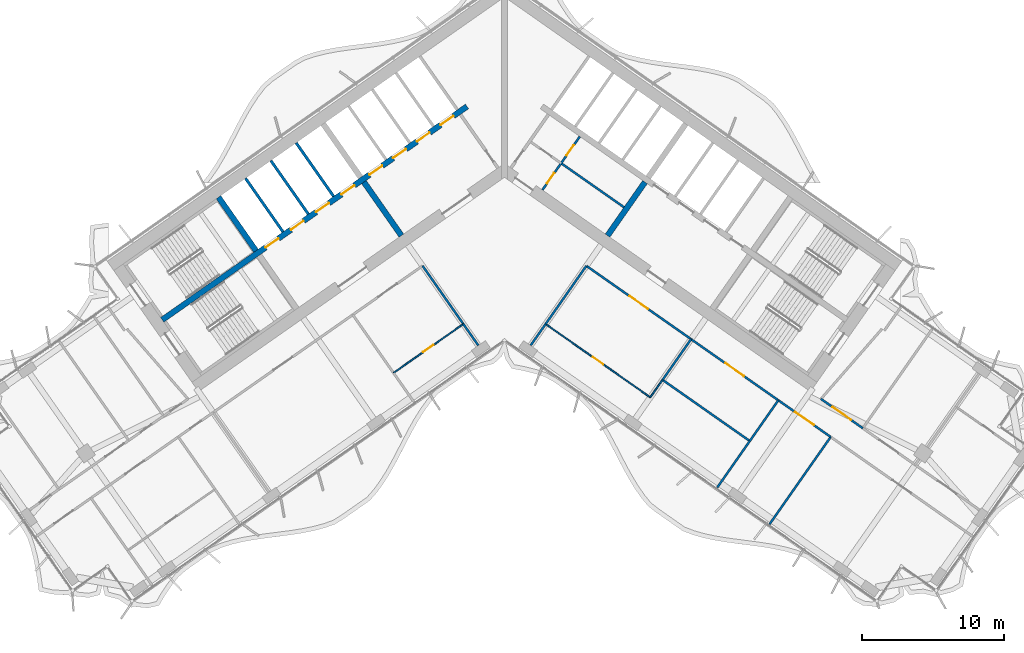
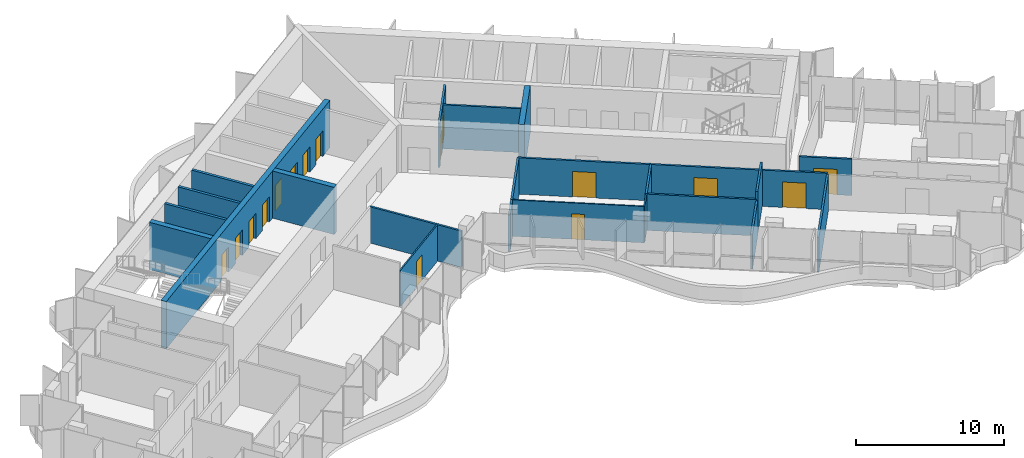
# One storey, part 15 of 23: 25 walls, 16 doors, 16 openings.
"""IFC4 building model written with IfcOpenShell, lengths in metres."""

from ifc_helpers import new_model, si_unit, direction, frame, frame_2d, origin, place, context, subcontext, project, spatial, polyline, rectangle, outline, extrude, material, layer, layer_set, type_object, element, fill, save


model = new_model("IFC4")

# Units and contexts
model_context = context("Model", 3, precision=1e-05, world=origin(), true_north=direction((0.0, 1.0)))
body_context = subcontext(model_context, "Body", "Model", "MODEL_VIEW")
ifc_project = project(units=[si_unit("LENGTHUNIT", "METRE"), si_unit("AREAUNIT", "SQUARE_METRE"), si_unit("VOLUMEUNIT", "CUBIC_METRE"), si_unit("PLANEANGLEUNIT", "RADIAN"), si_unit("MASSUNIT", "GRAM", prefix="KILO")], contexts=[model_context])

# Site, building, storey
site_placement = place(None, origin())
site = spatial("IfcSite", under=ifc_project, at=site_placement, CompositionType="ELEMENT")
building_placement = place(site_placement, origin())
building = spatial("IfcBuilding", under=site, at=building_placement, Name="Tel Ilan Convention Tower", CompositionType="ELEMENT")
storey_placement = place(building_placement, frame((0.0, 0.0, 171.0)))
storey = spatial("IfcBuildingStorey", under=building, at=storey_placement, Name="L39", CompositionType="ELEMENT", Elevation=171.0)

# Wall, openings, doors
ifc_material_1 = material(Name="Gypsum Plasterboard on Steel Stud", Category="steel")
ifc_layer_1 = layer(ifc_material_1, 0.14990234375)
ifc_layer_set_1 = layer_set([ifc_layer_1], Name="Core Room Partition Wall 150 mm EI 60")
wall_type_1 = type_object("IfcWallType", Name="Core Room Partition Wall 150 mm EI 60", PredefinedType="PARTITIONING", material=ifc_layer_set_1)
wall_1_placement = place(storey_placement, frame((2.67041015625, -2.114013671875, 0.0), z_axis=(0.0, 0.0, 1.0), x_axis=(0.573576324356, 0.819152122709, 0.0)))
wall_1 = element("IfcWall", 1, at=wall_1_placement, inside=storey, type_object=wall_type_1, Name="L39 core wall wc-v1", PredefinedType="PARTITIONING", context=body_context, shape_type="SweptSolid", body=[
    extrude(rectangle(XDim=4.599853515625, YDim=0.14990234375, at=frame_2d((2.2998046875, 0.0))), origin(), (0.0, 0.0, 1.0), 3.6201171875),
])
opening_1_placement = place(wall_1_placement, frame((0.550048828125, 0.0, 0.0)))
opening_1 = element("IfcOpeningElement", 2, at=opening_1_placement, cuts=wall_1, Name="Opening CD3109", PredefinedType="OPENING", context=body_context, shape_type="SweptSolid", body=[
    extrude(rectangle(XDim=0.89990234375, YDim=2.10009765625, at=frame_2d((0.449951171875, 1.050048828125))), frame((0.0, 0.0849609375, 0.0), z_axis=(0.0, -1.0, 0.0), x_axis=(1.0, 0.0, 0.0)), (0.0, 0.0, 1.0), 0.169921875),
])
opening_2_placement = place(wall_1_placement, frame((2.949951171875, 0.0, 0.0)))
opening_2 = element("IfcOpeningElement", 3, at=opening_2_placement, cuts=wall_1, Name="Opening CD3110", PredefinedType="OPENING", context=body_context, shape_type="SweptSolid", body=[
    extrude(rectangle(XDim=0.89990234375, YDim=2.10009765625, at=frame_2d((0.449951171875, 1.050048828125))), frame((0.0, 0.0849609375, 0.0), z_axis=(0.0, -1.0, 0.0), x_axis=(1.0, 0.0, 0.0)), (0.0, 0.0, 1.0), 0.169921875),
])
ifc_material_2 = material(Name="Laminated Timber Door Leaf", Category="wood")
door_type_1 = type_object("IfcDoorType", Name="Toilet Door 900 x 2100 FD30S", OperationType="NOTDEFINED", PredefinedType="DOOR", material=ifc_material_2)
door_1_placement = place(opening_1_placement, origin())
door_1 = element("IfcDoor", 4, at=door_1_placement, inside=storey, type_object=door_type_1, Name="Women's WC door", OperationType="SINGLE_SWING_RIGHT", OverallHeight=2.10009765625, OverallWidth=0.89990234375, PredefinedType="DOOR", context=body_context, shape_type="SweptSolid", body=[
    extrude(rectangle(XDim=0.89990234375, YDim=2.10009765625, at=frame_2d((0.449951171875, 1.050048828125))), frame((0.0, 0.02490234375, 0.0), z_axis=(0.0, -1.0, 0.0), x_axis=(1.0, 0.0, 0.0)), (0.0, 0.0, 1.0), 0.050048828125),
])
fill(opening_1, door_1)
door_2_placement = place(opening_2_placement, origin())
door_2 = element("IfcDoor", 5, at=door_2_placement, inside=storey, type_object=door_type_1, Name="Men's WC door", OperationType="SINGLE_SWING_RIGHT", OverallHeight=2.10009765625, OverallWidth=0.89990234375, PredefinedType="DOOR", context=body_context, shape_type="SweptSolid", body=[
    extrude(rectangle(XDim=0.89990234375, YDim=2.10009765625, at=frame_2d((0.449951171875, 1.050048828125))), frame((0.0, 0.02490234375, 0.0), z_axis=(0.0, -1.0, 0.0), x_axis=(1.0, 0.0, 0.0)), (0.0, 0.0, 1.0), 0.050048828125),
])
fill(opening_2, door_2)

# Walls
wall_2_placement = place(storey_placement, frame((3.989501953125, -0.22998046875, 0.0), z_axis=(0.0, 0.0, 1.0), x_axis=(0.819153326956, -0.573574604508, 0.0)))
element("IfcWall", 6, at=wall_2_placement, inside=storey, type_object=wall_type_1, Name="L39 core wall wc-h2", PredefinedType="PARTITIONING", context=body_context, shape_type="SweptSolid", body=[
    extrude(rectangle(XDim=5.400146484375, YDim=0.14990234375, at=frame_2d((2.7001953125, 0.0))), origin(), (0.0, 0.0, 1.0), 3.6201171875),
])
ifc_material_3 = material(Name="Concrete C50/60", Category="concrete")
ifc_layer_2 = layer(ifc_material_3, 0.39990234375)
ifc_layer_set_2 = layer_set([ifc_layer_2], Name="Core Shear Wall 400 mm C50/60")
wall_type_2 = type_object("IfcWallType", Name="Core Shear Wall 400 mm C50/60", PredefinedType="SHEAR", material=ifc_layer_set_2)
wall_3_placement = place(storey_placement, frame((-7.2578125, -5.325927734375, 0.0), z_axis=(0.0, 0.0, 1.0), x_axis=(-0.573540709186, 0.819177059558, 0.0)))
element("IfcWall", 7, at=wall_3_placement, inside=storey, type_object=wall_type_2, Name="L39 core wall W-cross1-1", PredefinedType="SHEAR", context=body_context, shape_type="SweptSolid", body=[
    extrude(outline(polyline([(4.599853515625, 0.2001953125), (-0.000244140625, 0.199951171875), (-0.000244140625, -0.2001953125), (4.599853515625, -0.199951171875), (4.599853515625, 0.2001953125)])), origin(), (0.0, 0.0, 1.0), 3.89990234375),
])
wall_4_placement = place(storey_placement, frame((-17.497802734375, -6.392333984375, 0.0), z_axis=(0.0, 0.0, 1.0), x_axis=(-0.573611936273, 0.819127185829, 0.0)))
element("IfcWall", 8, at=wall_4_placement, inside=storey, type_object=wall_type_2, Name="L39 core wall W-cross2-2", PredefinedType="SHEAR", context=body_context, shape_type="SweptSolid", body=[
    extrude(outline(polyline([(4.599853515625, -0.2001953125), (4.599853515625, 0.199951171875), (0.0, 0.2001953125), (0.0, -0.199951171875), (4.599853515625, -0.2001953125)])), origin(), (0.0, 0.0, 1.0), 3.89990234375),
])

# Wall, openings, doors
wall_5_placement = place(storey_placement, frame((-2.638427734375, 3.76806640625, 0.0), z_axis=(0.0, 0.0, 1.0), x_axis=(-0.81915267502, -0.573575535572, 0.0)))
wall_5 = element("IfcWall", 9, at=wall_5_placement, inside=storey, type_object=wall_type_2, Name="L39 core wall W-spine", PredefinedType="SHEAR", context=body_context, shape_type="SweptSolid", body=[
    extrude(outline(polyline([(26.199951171875, 0.199951171875), (0.0, 0.199951171875), (0.0, -0.199951171875), (26.199951171875, -0.199951171875), (26.199951171875, 0.199951171875)])), origin(), (0.0, 0.0, 1.0), 3.89990234375),
])
opening_3_placement = place(wall_5_placement, frame((1.168701171875, 0.0, 0.0)))
opening_3 = element("IfcOpeningElement", 10, at=opening_3_placement, cuts=wall_5, Name="Opening LD3104", PredefinedType="OPENING", context=body_context, shape_type="SweptSolid", body=[
    extrude(rectangle(XDim=1.10009765625, YDim=2.10009765625, at=frame_2d((0.550048828125, 1.050048828125))), frame((0.0, 0.2099609375, 0.0), z_axis=(0.0, -1.0, 0.0), x_axis=(1.0, 0.0, 0.0)), (0.0, 0.0, 1.0), 0.419921875),
])
opening_4_placement = place(wall_5_placement, frame((3.206298828125, 0.0, 0.0)))
opening_4 = element("IfcOpeningElement", 11, at=opening_4_placement, cuts=wall_5, Name="Opening LD3105", PredefinedType="OPENING", context=body_context, shape_type="SweptSolid", body=[
    extrude(rectangle(XDim=1.10009765625, YDim=2.10009765625, at=frame_2d((0.550048828125, 1.050048828125))), frame((0.0, 0.2099609375, 0.0), z_axis=(0.0, -1.0, 0.0), x_axis=(1.0, 0.0, 0.0)), (0.0, 0.0, 1.0), 0.419921875),
])
opening_5_placement = place(wall_5_placement, frame((5.24365234375, 0.0, 0.0)))
opening_5 = element("IfcOpeningElement", 12, at=opening_5_placement, cuts=wall_5, Name="Opening LD3106", PredefinedType="OPENING", context=body_context, shape_type="SweptSolid", body=[
    extrude(rectangle(XDim=1.10009765625, YDim=2.10009765625, at=frame_2d((0.550048828125, 1.050048828125))), frame((0.0, 0.2099609375, 0.0), z_axis=(0.0, -1.0, 0.0), x_axis=(1.0, 0.0, 0.0)), (0.0, 0.0, 1.0), 0.419921875),
])
opening_6_placement = place(wall_5_placement, frame((7.28125, 0.0, 0.0)))
opening_6 = element("IfcOpeningElement", 13, at=opening_6_placement, cuts=wall_5, Name="Opening LD3107", PredefinedType="OPENING", context=body_context, shape_type="SweptSolid", body=[
    extrude(rectangle(XDim=1.10009765625, YDim=2.10009765625, at=frame_2d((0.550048828125, 1.050048828125))), frame((0.0, 0.2099609375, 0.0), z_axis=(0.0, -1.0, 0.0), x_axis=(1.0, 0.0, 0.0)), (0.0, 0.0, 1.0), 0.419921875),
])
opening_7_placement = place(wall_5_placement, frame((9.6875, 0.0, 0.0)))
opening_7 = element("IfcOpeningElement", 14, at=opening_7_placement, cuts=wall_5, Name="Opening LD3108", PredefinedType="OPENING", context=body_context, shape_type="SweptSolid", body=[
    extrude(rectangle(XDim=1.10009765625, YDim=2.10009765625, at=frame_2d((0.550048828125, 1.050048828125))), frame((0.0, 0.2099609375, 0.0), z_axis=(0.0, -1.0, 0.0), x_axis=(1.0, 0.0, 0.0)), (0.0, 0.0, 1.0), 0.419921875),
])
opening_8_placement = place(wall_5_placement, frame((11.862548828125, 0.0, 0.0)))
opening_8 = element("IfcOpeningElement", 15, at=opening_8_placement, cuts=wall_5, Name="Opening LD3109", PredefinedType="OPENING", context=body_context, shape_type="SweptSolid", body=[
    extrude(rectangle(XDim=1.10009765625, YDim=2.10009765625, at=frame_2d((0.550048828125, 1.050048828125))), frame((0.0, 0.2099609375, 0.0), z_axis=(0.0, -1.0, 0.0), x_axis=(1.0, 0.0, 0.0)), (0.0, 0.0, 1.0), 0.419921875),
])
opening_9_placement = place(wall_5_placement, frame((14.03759765625, 0.0, 0.0)))
opening_9 = element("IfcOpeningElement", 16, at=opening_9_placement, cuts=wall_5, Name="Opening LD3110", PredefinedType="OPENING", context=body_context, shape_type="SweptSolid", body=[
    extrude(rectangle(XDim=1.10009765625, YDim=2.10009765625, at=frame_2d((0.550048828125, 1.050048828125))), frame((0.0, 0.2099609375, 0.0), z_axis=(0.0, -1.0, 0.0), x_axis=(1.0, 0.0, 0.0)), (0.0, 0.0, 1.0), 0.419921875),
])
opening_10_placement = place(wall_5_placement, frame((16.21240234375, 0.0, 0.0)))
opening_10 = element("IfcOpeningElement", 17, at=opening_10_placement, cuts=wall_5, Name="Opening LD3111", PredefinedType="OPENING", context=body_context, shape_type="SweptSolid", body=[
    extrude(rectangle(XDim=1.10009765625, YDim=2.10009765625, at=frame_2d((0.550048828125, 1.050048828125))), frame((0.0, 0.2099609375, 0.0), z_axis=(0.0, -1.0, 0.0), x_axis=(1.0, 0.0, 0.0)), (0.0, 0.0, 1.0), 0.419921875),
])
ifc_material_4 = material(Name="Stainless Steel Sliding Door Leaf", Category="steel")
door_type_2 = type_object("IfcDoorType", Name="Lift Landing Door 1100 x 2100 FD120", OperationType="NOTDEFINED", PredefinedType="DOOR", material=ifc_material_4)
door_3_placement = place(opening_3_placement, origin())
door_3 = element("IfcDoor", 18, at=door_3_placement, inside=storey, type_object=door_type_2, Name="Lift LR1 landing door", OperationType="SLIDING_TO_LEFT", OverallHeight=2.10009765625, OverallWidth=1.10009765625, PredefinedType="DOOR", context=body_context, shape_type="SweptSolid", body=[
    extrude(rectangle(XDim=1.10009765625, YDim=2.10009765625, at=frame_2d((0.550048828125, 1.050048828125))), frame((0.0, 0.02490234375, 0.0), z_axis=(0.0, -1.0, 0.0), x_axis=(1.0, 0.0, 0.0)), (0.0, 0.0, 1.0), 0.050048828125),
])
fill(opening_3, door_3)
door_4_placement = place(opening_4_placement, origin())
door_4 = element("IfcDoor", 19, at=door_4_placement, inside=storey, type_object=door_type_2, Name="Lift LR2 landing door", OperationType="SLIDING_TO_RIGHT", OverallHeight=2.10009765625, OverallWidth=1.10009765625, PredefinedType="DOOR", context=body_context, shape_type="SweptSolid", body=[
    extrude(rectangle(XDim=1.10009765625, YDim=2.10009765625, at=frame_2d((0.550048828125, 1.050048828125))), frame((0.0, 0.02490234375, 0.0), z_axis=(0.0, -1.0, 0.0), x_axis=(1.0, 0.0, 0.0)), (0.0, 0.0, 1.0), 0.050048828125),
])
fill(opening_4, door_4)
door_5_placement = place(opening_5_placement, origin())
door_5 = element("IfcDoor", 20, at=door_5_placement, inside=storey, type_object=door_type_2, Name="Lift LR3 landing door", OperationType="SLIDING_TO_LEFT", OverallHeight=2.10009765625, OverallWidth=1.10009765625, PredefinedType="DOOR", context=body_context, shape_type="SweptSolid", body=[
    extrude(rectangle(XDim=1.10009765625, YDim=2.10009765625, at=frame_2d((0.550048828125, 1.050048828125))), frame((0.0, 0.02490234375, 0.0), z_axis=(0.0, -1.0, 0.0), x_axis=(1.0, 0.0, 0.0)), (0.0, 0.0, 1.0), 0.050048828125),
])
fill(opening_5, door_5)
door_6_placement = place(opening_6_placement, origin())
door_6 = element("IfcDoor", 21, at=door_6_placement, inside=storey, type_object=door_type_2, Name="Lift LR4 landing door", OperationType="SLIDING_TO_RIGHT", OverallHeight=2.10009765625, OverallWidth=1.10009765625, PredefinedType="DOOR", context=body_context, shape_type="SweptSolid", body=[
    extrude(rectangle(XDim=1.10009765625, YDim=2.10009765625, at=frame_2d((0.550048828125, 1.050048828125))), frame((0.0, 0.02490234375, 0.0), z_axis=(0.0, -1.0, 0.0), x_axis=(1.0, 0.0, 0.0)), (0.0, 0.0, 1.0), 0.050048828125),
])
fill(opening_6, door_6)
door_7_placement = place(opening_7_placement, origin())
door_7 = element("IfcDoor", 22, at=door_7_placement, inside=storey, type_object=door_type_2, Name="Lift LR5 landing door", OperationType="SLIDING_TO_LEFT", OverallHeight=2.10009765625, OverallWidth=1.10009765625, PredefinedType="DOOR", context=body_context, shape_type="SweptSolid", body=[
    extrude(rectangle(XDim=1.10009765625, YDim=2.10009765625, at=frame_2d((0.550048828125, 1.050048828125))), frame((0.0, 0.02490234375, 0.0), z_axis=(0.0, -1.0, 0.0), x_axis=(1.0, 0.0, 0.0)), (0.0, 0.0, 1.0), 0.050048828125),
])
fill(opening_7, door_7)
door_8_placement = place(opening_8_placement, origin())
door_8 = element("IfcDoor", 23, at=door_8_placement, inside=storey, type_object=door_type_2, Name="Lift LR6 landing door", OperationType="SLIDING_TO_RIGHT", OverallHeight=2.10009765625, OverallWidth=1.10009765625, PredefinedType="DOOR", context=body_context, shape_type="SweptSolid", body=[
    extrude(rectangle(XDim=1.10009765625, YDim=2.10009765625, at=frame_2d((0.550048828125, 1.050048828125))), frame((0.0, 0.02490234375, 0.0), z_axis=(0.0, -1.0, 0.0), x_axis=(1.0, 0.0, 0.0)), (0.0, 0.0, 1.0), 0.050048828125),
])
fill(opening_8, door_8)
door_9_placement = place(opening_9_placement, origin())
door_9 = element("IfcDoor", 24, at=door_9_placement, inside=storey, type_object=door_type_2, Name="Lift LR7 landing door", OperationType="SLIDING_TO_LEFT", OverallHeight=2.10009765625, OverallWidth=1.10009765625, PredefinedType="DOOR", context=body_context, shape_type="SweptSolid", body=[
    extrude(rectangle(XDim=1.10009765625, YDim=2.10009765625, at=frame_2d((0.550048828125, 1.050048828125))), frame((0.0, 0.02490234375, 0.0), z_axis=(0.0, -1.0, 0.0), x_axis=(1.0, 0.0, 0.0)), (0.0, 0.0, 1.0), 0.050048828125),
])
fill(opening_9, door_9)
door_10_placement = place(opening_10_placement, origin())
door_10 = element("IfcDoor", 25, at=door_10_placement, inside=storey, type_object=door_type_2, Name="Lift LR8 landing door", OperationType="SLIDING_TO_RIGHT", OverallHeight=2.10009765625, OverallWidth=1.10009765625, PredefinedType="DOOR", context=body_context, shape_type="SweptSolid", body=[
    extrude(rectangle(XDim=1.10009765625, YDim=2.10009765625, at=frame_2d((0.550048828125, 1.050048828125))), frame((0.0, 0.02490234375, 0.0), z_axis=(0.0, -1.0, 0.0), x_axis=(1.0, 0.0, 0.0)), (0.0, 0.0, 1.0), 0.050048828125),
])
fill(opening_10, door_10)

# Wall
wall_6_placement = place(storey_placement, frame((7.2578125, -5.325927734375, 0.0), z_axis=(0.0, 0.0, 1.0), x_axis=(0.573540709186, 0.819177059558, 0.0)))
element("IfcWall", 26, at=wall_6_placement, inside=storey, type_object=wall_type_2, Name="L39 core wall E-cross1-1", PredefinedType="SHEAR", context=body_context, shape_type="SweptSolid", body=[
    extrude(outline(polyline([(-0.000244140625, 0.2001953125), (-0.000244140625, -0.199951171875), (4.599853515625, -0.2001953125), (4.599853515625, 0.199951171875), (-0.000244140625, 0.2001953125)])), origin(), (0.0, 0.0, 1.0), 3.89990234375),
])

# Wall, opening, door
ifc_material_5 = material(Name="Plasterboard on Steel Studs", Category="steel")
ifc_layer_3 = layer(ifc_material_5, 0.14990234375)
ifc_layer_set_3 = layer_set([ifc_layer_3], Name="Fire-rated Partition 150 EI 60")
wall_type_3 = type_object("IfcWallType", Name="Fire-rated Partition 150 EI 60", PredefinedType="PARTITIONING", material=ifc_layer_set_3)
wall_7_placement = place(storey_placement, frame((22.283203125, -16.82373046875, 0.0), z_axis=(0.0, 0.0, 1.0), x_axis=(0.819174552658, -0.573544289726, 0.0)))
wall_7 = element("IfcWall", 27, at=wall_7_placement, inside=storey, type_object=wall_type_3, Name="Partition 001", PredefinedType="PARTITIONING", context=body_context, shape_type="SweptSolid", body=[
    extrude(rectangle(XDim=3.59912109375, YDim=0.14990234375, at=frame_2d((1.799560546875, 0.0))), origin(), (0.0, 0.0, 1.0), 3.0),
])
opening_11_placement = place(wall_7_placement, frame((0.99951171875, 0.0, 0.0)))
opening_11 = element("IfcOpeningElement", 28, at=opening_11_placement, cuts=wall_7, Name="Opening L39-017", PredefinedType="OPENING", context=body_context, shape_type="SweptSolid", body=[
    extrude(rectangle(XDim=1.60009765625, YDim=2.10009765625, at=frame_2d((0.800048828125, 1.050048828125))), frame((0.0, 0.0849609375, 0.0), z_axis=(0.0, -1.0, 0.0), x_axis=(1.0, 0.0, 0.0)), (0.0, 0.0, 1.0), 0.169921875),
])
ifc_material_6 = material(Name="Timber Door Leaf in Steel Frame", Category="steel")
door_type_3 = type_object("IfcDoorType", Name="Tenant Suite Entrance Fire Door 1600x2100", OperationType="NOTDEFINED", PredefinedType="DOOR", material=ifc_material_6)
door_11_placement = place(opening_11_placement, origin())
door_11 = element("IfcDoor", 29, at=door_11_placement, inside=storey, type_object=door_type_3, Name="Door L39-017", OperationType="DOUBLE_DOOR_SINGLE_SWING", OverallHeight=2.10009765625, OverallWidth=1.60009765625, PredefinedType="DOOR", context=body_context, shape_type="SweptSolid", body=[
    extrude(rectangle(XDim=1.60009765625, YDim=2.10009765625, at=frame_2d((0.800048828125, 1.050048828125))), frame((0.0, 0.02490234375, 0.0), z_axis=(0.0, -1.0, 0.0), x_axis=(1.0, 0.0, 0.0)), (0.0, 0.0, 1.0), 0.050048828125),
])
fill(opening_11, door_11)

wall_8_placement = place(storey_placement, frame((13.140380859375, -12.619140625, 0.0), z_axis=(0.0, 0.0, 1.0), x_axis=(-0.81915291695, 0.57357519006, 0.0)))
wall_8 = element("IfcWall", 30, at=wall_8_placement, inside=storey, type_object=wall_type_3, Name="Partition 004", PredefinedType="PARTITIONING", context=body_context, shape_type="SweptSolid", body=[
    extrude(rectangle(XDim=9.001953125, YDim=0.14990234375, at=frame_2d((4.5009765625, 0.0))), origin(), (0.0, 0.0, 1.0), 3.0),
])
opening_12_placement = place(wall_8_placement, frame((3.700927734375, 0.0, 0.0)))
opening_12 = element("IfcOpeningElement", 31, at=opening_12_placement, cuts=wall_8, Name="Opening L39-012", PredefinedType="OPENING", context=body_context, shape_type="SweptSolid", body=[
    extrude(rectangle(XDim=1.60009765625, YDim=2.10009765625, at=frame_2d((0.800048828125, 1.050048828125))), frame((0.0, 0.0849609375, 0.0), z_axis=(0.0, -1.0, 0.0), x_axis=(1.0, 0.0, 0.0)), (0.0, 0.0, 1.0), 0.169921875),
])
door_12_placement = place(opening_12_placement, origin())
door_12 = element("IfcDoor", 32, at=door_12_placement, inside=storey, type_object=door_type_3, Name="Door L39-012", OperationType="DOUBLE_DOOR_SINGLE_SWING", OverallHeight=2.10009765625, OverallWidth=1.60009765625, PredefinedType="DOOR", context=body_context, shape_type="SweptSolid", body=[
    extrude(rectangle(XDim=1.60009765625, YDim=2.10009765625, at=frame_2d((0.800048828125, 1.050048828125))), frame((0.0, 0.02490234375, 0.0), z_axis=(0.0, -1.0, 0.0), x_axis=(1.0, 0.0, 0.0)), (0.0, 0.0, 1.0), 0.050048828125),
])
fill(opening_12, door_12)

wall_9_placement = place(storey_placement, frame((19.283935546875, -16.9208984375, 0.0), z_axis=(0.0, 0.0, 1.0), x_axis=(-0.819153958035, 0.573573703229, 0.0)))
wall_9 = element("IfcWall", 33, at=wall_9_placement, inside=storey, type_object=wall_type_3, Name="Partition 005", PredefinedType="PARTITIONING", context=body_context, shape_type="SweptSolid", body=[
    extrude(rectangle(XDim=7.503662109375, YDim=0.14990234375, at=frame_2d((3.751953125, 0.0))), origin(), (0.0, 0.0, 1.0), 3.0),
])
opening_13_placement = place(wall_9_placement, frame((2.951904296875, 0.0, 0.0)))
opening_13 = element("IfcOpeningElement", 34, at=opening_13_placement, cuts=wall_9, Name="Opening L39-014", PredefinedType="OPENING", context=body_context, shape_type="SweptSolid", body=[
    extrude(rectangle(XDim=1.60009765625, YDim=2.10009765625, at=frame_2d((0.800048828125, 1.050048828125))), frame((0.0, 0.0849609375, 0.0), z_axis=(0.0, -1.0, 0.0), x_axis=(1.0, 0.0, 0.0)), (0.0, 0.0, 1.0), 0.169921875),
])
door_13_placement = place(opening_13_placement, origin())
door_13 = element("IfcDoor", 35, at=door_13_placement, inside=storey, type_object=door_type_3, Name="Door L39-014", OperationType="DOUBLE_DOOR_SINGLE_SWING", OverallHeight=2.10009765625, OverallWidth=1.60009765625, PredefinedType="DOOR", context=body_context, shape_type="SweptSolid", body=[
    extrude(rectangle(XDim=1.60009765625, YDim=2.10009765625, at=frame_2d((0.800048828125, 1.050048828125))), frame((0.0, 0.02490234375, 0.0), z_axis=(0.0, -1.0, 0.0), x_axis=(1.0, 0.0, 0.0)), (0.0, 0.0, 1.0), 0.050048828125),
])
fill(opening_13, door_13)

wall_10_placement = place(storey_placement, frame((22.97021484375, -19.502197265625, 0.0), z_axis=(0.0, 0.0, 1.0), x_axis=(-0.819140235121, 0.573593301221, 0.0)))
wall_10 = element("IfcWall", 36, at=wall_10_placement, inside=storey, type_object=wall_type_3, Name="Partition 006", PredefinedType="PARTITIONING", context=body_context, shape_type="SweptSolid", body=[
    extrude(rectangle(XDim=4.504150390625, YDim=0.14990234375, at=frame_2d((2.251953125, 0.0))), origin(), (0.0, 0.0, 1.0), 3.0),
])
opening_14_placement = place(wall_10_placement, frame((1.451904296875, 0.0, 0.0)))
opening_14 = element("IfcOpeningElement", 37, at=opening_14_placement, cuts=wall_10, Name="Opening L39-015", PredefinedType="OPENING", context=body_context, shape_type="SweptSolid", body=[
    extrude(rectangle(XDim=1.60009765625, YDim=2.10009765625, at=frame_2d((0.800048828125, 1.050048828125))), frame((0.0, 0.0849609375, 0.0), z_axis=(0.0, -1.0, 0.0), x_axis=(1.0, 0.0, 0.0)), (0.0, 0.0, 1.0), 0.169921875),
])
door_14_placement = place(opening_14_placement, origin())
door_14 = element("IfcDoor", 38, at=door_14_placement, inside=storey, type_object=door_type_3, Name="Door L39-015", OperationType="DOUBLE_DOOR_SINGLE_SWING", OverallHeight=2.10009765625, OverallWidth=1.60009765625, PredefinedType="DOOR", context=body_context, shape_type="SweptSolid", body=[
    extrude(rectangle(XDim=1.60009765625, YDim=2.10009765625, at=frame_2d((0.800048828125, 1.050048828125))), frame((0.0, 0.02490234375, 0.0), z_axis=(0.0, -1.0, 0.0), x_axis=(1.0, 0.0, 0.0)), (0.0, 0.0, 1.0), 0.050048828125),
])
fill(opening_14, door_14)

# Walls
wall_11_placement = place(storey_placement, frame((11.130615234375, -15.48583984375, 0.0), z_axis=(0.0, 0.0, 1.0), x_axis=(0.819163097304, -0.573560650686, 0.0)))
element("IfcWall", 39, at=wall_11_placement, inside=storey, type_object=wall_type_3, Name="Partition 026", PredefinedType="PARTITIONING", context=body_context, shape_type="SweptSolid", body=[
    extrude(rectangle(XDim=7.5, YDim=0.14990234375, at=frame_2d((3.75, 0.0))), origin(), (0.0, 0.0, 1.0), 3.0),
])
wall_12_placement = place(storey_placement, frame((17.2744140625, -19.78759765625, 0.0), z_axis=(0.0, 0.0, 1.0), x_axis=(-0.57360163893, -0.819134396675, 0.0)))
element("IfcWall", 40, at=wall_12_placement, inside=storey, type_object=wall_type_3, Name="Partition 027", PredefinedType="PARTITIONING", context=body_context, shape_type="SweptSolid", body=[
    extrude(rectangle(XDim=3.999267578125, YDim=0.14990234375, at=frame_2d((1.99951171875, 0.0))), origin(), (0.0, 0.0, 1.0), 2.89990234375),
])
wall_13_placement = place(storey_placement, frame((1.848876953125, -13.050537109375, 0.0), z_axis=(0.0, 0.0, 1.0), x_axis=(0.573623601139, 0.819119017125, 0.0)))
element("IfcWall", 41, at=wall_13_placement, inside=storey, type_object=wall_type_3, Name="Partition 028", PredefinedType="PARTITIONING", context=body_context, shape_type="SweptSolid", body=[
    extrude(rectangle(XDim=1.828857421875, YDim=0.14990234375, at=frame_2d((0.91455078125, 0.0))), origin(), (0.0, 0.0, 1.0), 3.0),
])
wall_14_placement = place(storey_placement, frame((13.138671875, -12.617919921875, 0.0), z_axis=(0.0, 0.0, 1.0), x_axis=(-0.573523165603, -0.819189342287, 0.0)))
element("IfcWall", 42, at=wall_14_placement, inside=storey, type_object=wall_type_3, Name="Partition 029", PredefinedType="PARTITIONING", context=body_context, shape_type="SweptSolid", body=[
    extrude(rectangle(XDim=3.502197265625, YDim=0.14990234375, at=frame_2d((1.7509765625, 0.0))), origin(), (0.0, 0.0, 1.0), 3.0),
])
wall_15_placement = place(storey_placement, frame((2.8984375, -11.551513671875, 0.0), z_axis=(0.0, 0.0, 1.0), x_axis=(0.573586866468, 0.819144740944, 0.0)))
element("IfcWall", 43, at=wall_15_placement, inside=storey, type_object=wall_type_3, Name="Partition 030", PredefinedType="PARTITIONING", context=body_context, shape_type="SweptSolid", body=[
    extrude(rectangle(XDim=5.0, YDim=0.14990234375, at=frame_2d((2.5, 0.0))), origin(), (0.0, 0.0, 1.0), 3.0),
])
wall_16_placement = place(storey_placement, frame((19.282470703125, -16.919921875, 0.0), z_axis=(0.0, 0.0, 1.0), x_axis=(-0.573598101901, -0.81913687348, 0.0)))
element("IfcWall", 44, at=wall_16_placement, inside=storey, type_object=wall_type_3, Name="Partition 031", PredefinedType="PARTITIONING", context=body_context, shape_type="SweptSolid", body=[
    extrude(rectangle(XDim=3.5, YDim=0.14990234375, at=frame_2d((1.75, 0.0))), origin(), (0.0, 0.0, 1.0), 3.6201171875),
])
wall_17_placement = place(storey_placement, frame((22.968505859375, -19.5009765625, 0.0), z_axis=(0.0, 0.0, 1.0), x_axis=(-0.573575945067, -0.81915238829, 0.0)))
element("IfcWall", 45, at=wall_17_placement, inside=storey, type_object=wall_type_3, Name="Partition 032", PredefinedType="PARTITIONING", context=body_context, shape_type="SweptSolid", body=[
    extrude(rectangle(XDim=7.5, YDim=0.14990234375, at=frame_2d((3.75, 0.0))), origin(), (0.0, 0.0, 1.0), 2.89990234375),
])
wall_18_placement = place(storey_placement, frame((-1.848876953125, -13.050537109375, 0.0), z_axis=(0.0, 0.0, 1.0), x_axis=(-0.573542889209, 0.819175533227, 0.0)))
element("IfcWall", 46, at=wall_18_placement, inside=storey, type_object=wall_type_3, Name="Partition 033", PredefinedType="PARTITIONING", context=body_context, shape_type="SweptSolid", body=[
    extrude(rectangle(XDim=1.830810546875, YDim=0.14990234375, at=frame_2d((0.91552734375, 0.0))), origin(), (0.0, 0.0, 1.0), 3.0),
])
wall_19_placement = place(storey_placement, frame((-2.897216796875, -11.55322265625, 0.0), z_axis=(0.0, 0.0, 1.0), x_axis=(-0.573593309886, 0.819140229054, 0.0)))
element("IfcWall", 47, at=wall_19_placement, inside=storey, type_object=wall_type_3, Name="Partition 034", PredefinedType="PARTITIONING", context=body_context, shape_type="SweptSolid", body=[
    extrude(rectangle(XDim=5.004150390625, YDim=0.14990234375, at=frame_2d((2.501953125, 0.0))), origin(), (0.0, 0.0, 1.0), 3.0),
])
ifc_material_7 = material(Name="Concrete C30/37", Category="concrete")
ifc_layer_4 = layer(ifc_material_7, 0.199951171875)
ifc_layer_set_4 = layer_set([ifc_layer_4], Name="Lift Shaft Wall 200 mm C30/37")
wall_type_4 = type_object("IfcWallType", Name="Lift Shaft Wall 200 mm C30/37", PredefinedType="SOLIDWALL", material=ifc_layer_set_4)
for number, where, z_axis, x_axis, name in (
    (48, (-12.030029296875, -2.563720703125, 0.0), (0.0, 0.0, 1.0), (-0.573576324356, 0.819152122709, 0.0), "L39 core wall bank-W2-p0"),
    (49, (-13.811767578125, -3.811279296875, 0.0), (0.0, 0.0, 1.0), (-0.573576324356, 0.819152122709, 0.0), "L39 core wall bank-W2-p1"),
    (50, (-15.593505859375, -5.058837890625, 0.0), (0.0, 0.0, 1.0), (-0.573540709186, 0.819177059558, 0.0), "L39 core wall bank-W2-p2"),
):
    element("IfcWall", number, at=place(storey_placement, frame(where, z_axis=z_axis, x_axis=x_axis)), inside=storey, type_object=wall_type_4, Name=name, PredefinedType="SOLIDWALL", context=body_context, shape_type="SweptSolid", body=[
        extrude(rectangle(XDim=4.599853515625, YDim=0.199951171875, at=frame_2d((2.2998046875, 0.0))), origin(), (0.0, 0.0, 1.0), 3.89990234375),
    ])
ifc_material_8 = material(Name="Plasterboard on Steel Studs", Category="steel")
ifc_layer_5 = layer(ifc_material_8, 0.10009765625)
ifc_layer_set_5 = layer_set([ifc_layer_5], Name="Plasterboard Partition 100")
wall_type_5 = type_object("IfcWallType", Name="Plasterboard Partition 100", PredefinedType="PARTITIONING", material=ifc_layer_set_5)
wall_20_placement = place(storey_placement, frame((11.130615234375, -15.48583984375, 0.0), z_axis=(0.0, 0.0, 1.0), x_axis=(-0.573560650686, -0.819163097304, 0.0)))
element("IfcWall", 51, at=wall_20_placement, inside=storey, type_object=wall_type_5, Name="Partition 024", PredefinedType="PARTITIONING", context=body_context, shape_type="SweptSolid", body=[
    extrude(rectangle(XDim=1.5, YDim=0.10009765625, at=frame_2d((0.75, 0.0))), origin(), (0.0, 0.0, 1.0), 3.0),
])

# Wall, opening, door
wall_21_placement = place(storey_placement, frame((10.270263671875, -16.714599609375, 0.0), z_axis=(0.0, 0.0, 1.0), x_axis=(-0.819154173185, 0.573573395961, 0.0)))
wall_21 = element("IfcWall", 52, at=wall_21_placement, inside=storey, type_object=wall_type_5, Name="Partition 025", PredefinedType="PARTITIONING", context=body_context, shape_type="SweptSolid", body=[
    extrude(rectangle(XDim=9.0, YDim=0.10009765625, at=frame_2d((4.5, 0.0))), origin(), (0.0, 0.0, 1.0), 3.0),
])
opening_15_placement = place(wall_21_placement, frame((4.050048828125, 0.0, 0.0)))
opening_15 = element("IfcOpeningElement", 53, at=opening_15_placement, cuts=wall_21, Name="Opening L39-013", PredefinedType="OPENING", context=body_context, shape_type="SweptSolid", body=[
    extrude(rectangle(XDim=0.89990234375, YDim=2.10009765625, at=frame_2d((0.449951171875, 1.050048828125))), frame((0.0, 0.06005859375, 0.0), z_axis=(0.0, -1.0, 0.0), x_axis=(1.0, 0.0, 0.0)), (0.0, 0.0, 1.0), 0.1201171875),
])
ifc_material_9 = material(Name="Timber Door Leaf in Steel Frame", Category="steel")
door_type_4 = type_object("IfcDoorType", Name="Room Timber Door 900x2100", OperationType="NOTDEFINED", PredefinedType="DOOR", material=ifc_material_9)
door_15_placement = place(opening_15_placement, origin())
door_15 = element("IfcDoor", 54, at=door_15_placement, inside=storey, type_object=door_type_4, Name="Door L39-013", OperationType="SINGLE_SWING_RIGHT", OverallHeight=2.10009765625, OverallWidth=0.89990234375, PredefinedType="DOOR", context=body_context, shape_type="SweptSolid", body=[
    extrude(rectangle(XDim=0.89990234375, YDim=2.10009765625, at=frame_2d((0.449951171875, 1.050048828125))), frame((0.0, 0.02490234375, 0.0), z_axis=(0.0, -1.0, 0.0), x_axis=(1.0, 0.0, 0.0)), (0.0, 0.0, 1.0), 0.050048828125),
])
fill(opening_15, door_15)

wall_22_placement = place(storey_placement, frame((-2.89794921875, -11.552490234375, 0.0), z_axis=(0.0, 0.0, 1.0), x_axis=(-0.819149710902, -0.573579768758, 0.0)))
wall_22 = element("IfcWall", 55, at=wall_22_placement, inside=storey, type_object=wall_type_5, Name="Partition 040", PredefinedType="PARTITIONING", context=body_context, shape_type="SweptSolid", body=[
    extrude(rectangle(XDim=5.999755859375, YDim=0.10009765625, at=frame_2d((3.0, 0.0))), origin(), (0.0, 0.0, 1.0), 3.0),
])
opening_16_placement = place(wall_22_placement, frame((2.550048828125, 0.0, 0.0)))
opening_16 = element("IfcOpeningElement", 56, at=opening_16_placement, cuts=wall_22, Name="Opening L39-002", PredefinedType="OPENING", context=body_context, shape_type="SweptSolid", body=[
    extrude(rectangle(XDim=0.89990234375, YDim=2.10009765625, at=frame_2d((0.449951171875, 1.050048828125))), frame((0.0, 0.06005859375, 0.0), z_axis=(0.0, -1.0, 0.0), x_axis=(1.0, 0.0, 0.0)), (0.0, 0.0, 1.0), 0.1201171875),
])
door_16_placement = place(opening_16_placement, origin())
door_16 = element("IfcDoor", 57, at=door_16_placement, inside=storey, type_object=door_type_4, Name="Door L39-002", OperationType="SINGLE_SWING_RIGHT", OverallHeight=2.10009765625, OverallWidth=0.89990234375, PredefinedType="DOOR", context=body_context, shape_type="SweptSolid", body=[
    extrude(rectangle(XDim=0.89990234375, YDim=2.10009765625, at=frame_2d((0.449951171875, 1.050048828125))), frame((0.0, 0.02490234375, 0.0), z_axis=(0.0, -1.0, 0.0), x_axis=(1.0, 0.0, 0.0)), (0.0, 0.0, 1.0), 0.050048828125),
])
fill(opening_16, door_16)

save(model, "model.ifc")
